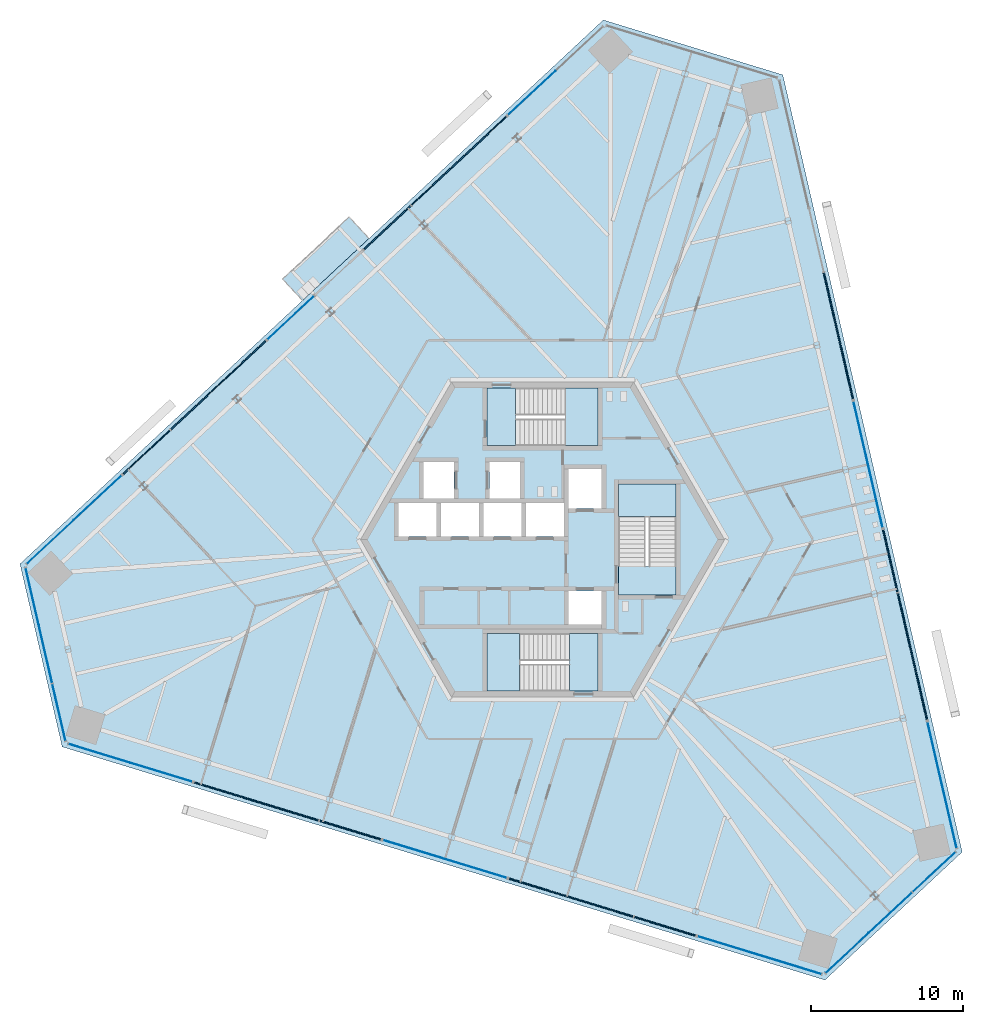
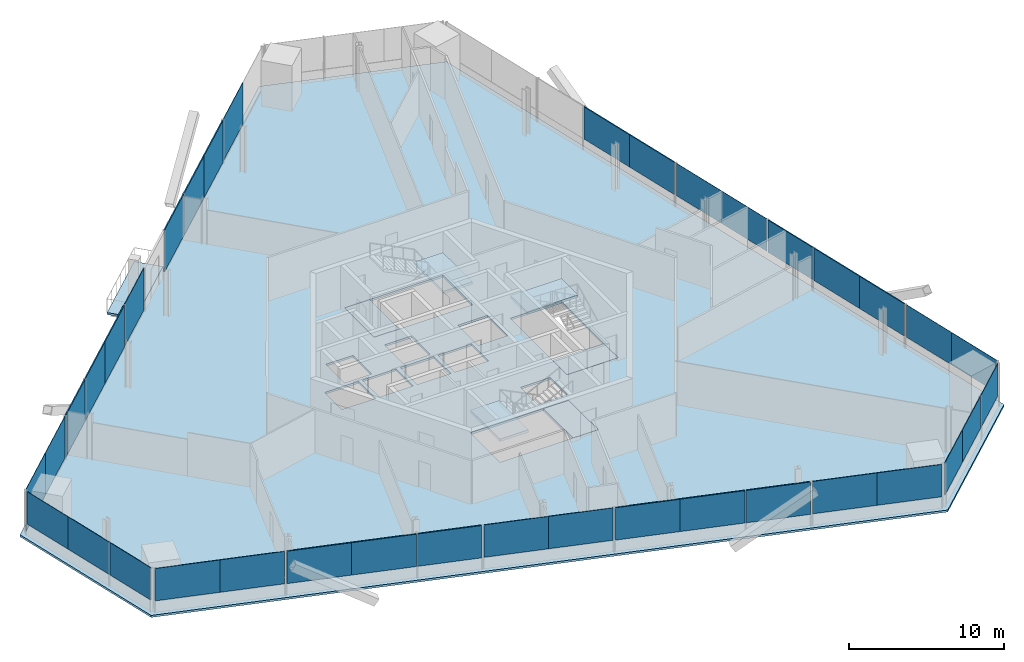
# One storey, part 9 of 17: 37 plates, 8 slabs, 19 elements without a shape of their own.
"""IFC4 building model written with IfcOpenShell, lengths in metres."""

from ifc_helpers import new_model, si_unit, direction, frame, origin, origin_2d, place, context, subcontext, project, spatial, polyline, rectangle, outline, extrude, source, transform, mapped, material, layer, layer_set, type_object, element, aggregate, save


model = new_model("IFC4")

# Units and contexts
model_context = context("Model", 3, precision=1e-05, world=origin(), true_north=direction((0.0, 1.0)))
body_context = subcontext(model_context, "Body", "Model", "MODEL_VIEW")
ifc_project = project(units=[si_unit("LENGTHUNIT", "METRE"), si_unit("AREAUNIT", "SQUARE_METRE"), si_unit("VOLUMEUNIT", "CUBIC_METRE"), si_unit("PLANEANGLEUNIT", "RADIAN"), si_unit("MASSUNIT", "GRAM", prefix="KILO")], contexts=[model_context])

# Site, building, storey
site_placement = place(None, origin())
site = spatial("IfcSite", under=ifc_project, at=site_placement, CompositionType="ELEMENT")
building_placement = place(site_placement, origin())
building = spatial("IfcBuilding", under=site, at=building_placement, Name="Triune Harvest Tower", CompositionType="ELEMENT")
storey_placement = place(building_placement, frame((0.0, 0.0, 123.5)))
storey = spatial("IfcBuildingStorey", under=building, at=storey_placement, Name="L31", CompositionType="ELEMENT", Elevation=123.5)

# Slab
ifc_material_1 = material(Name="Concrete 40 MPa", Category="concrete")
ifc_layer_1 = layer(ifc_material_1, 0.159912109375)
ifc_layer_set_1 = layer_set([ifc_layer_1], Name="Concrete 40 MPa")
slab_type_1 = type_object("IfcSlabType", Name="BA-1 balcony slab 160", PredefinedType="FLOOR", material=ifc_layer_set_1)
slab_1_placement = place(storey_placement, frame((0.0, 0.0, -0.159912109375)))
element("IfcSlab", 1, at=slab_1_placement, inside=storey, type_object=slab_type_1, Name="Balcony slab B3-F3 L31.6", PredefinedType="FLOOR", context=body_context, shape_type="SweptSolid", body=[
    extrude(outline(polyline([(-11.439208984375, 19.857421875), (-15.8271484375, 15.765380859375), (-17.144287109375, 17.177978515625), (-12.756103515625, 21.27001953125), (-11.439208984375, 19.857421875)])), origin(), (0.0, 0.0, 1.0), 0.159912109375),
])

# Curtain wall, plate
ifc_material_2 = material(Name="Aluminium bronze anodised", Category="aluminium")
curtain_wall_type_1 = type_object("IfcCurtainWallType", Name="CW-6 Balcony window wall", PredefinedType="NOTDEFINED", material=ifc_material_2)
curtain_wall_1_placement = place(storey_placement, origin())
curtain_wall_1 = element("IfcCurtainWall", 2, at=curtain_wall_1_placement, inside=storey, type_object=curtain_wall_type_1, Name="CW-6 B3-F3 L31 run 2")
ifc_material_3 = material(Name="Glass", Category="glass")
ifc_layer_2 = layer(ifc_material_3, 0.030029296875)
ifc_layer_set_2 = layer_set([ifc_layer_2], Name="Glass")
plate_type_1 = type_object("IfcPlateType", Name="GL-6 panel 30", PredefinedType="CURTAIN_PANEL", material=ifc_layer_set_2)
plate_1_placement = place(storey_placement, frame((-16.60693359375, 14.628173828125, 0.14990234375), z_axis=(0.0, 0.0, 1.0), x_axis=(-0.731345710138, -0.682006929777, 0.0)))
plate_1 = element("IfcPlate", 3, at=plate_1_placement, type_object=plate_type_1, Name="CW-6 panel B3-F3 2.1", PredefinedType="CURTAIN_PANEL", context=body_context, shape_type="SweptSolid", body=[
    extrude(rectangle(XDim=4.1884765625, YDim=0.030029296875, at=origin_2d()), origin(), (0.0, 0.0, 1.0), 3.2900390625),
])
aggregate(curtain_wall_1, [plate_1])

ifc_material_4 = material(Name="Aluminium bronze anodised", Category="aluminium")
curtain_wall_type_2 = type_object("IfcCurtainWallType", Name="CW-10 Balcony window wall with insulated spandrel infill", PredefinedType="NOTDEFINED", material=ifc_material_4)
curtain_wall_2_placement = place(storey_placement, origin())
curtain_wall_2 = element("IfcCurtainWall", 4, at=curtain_wall_2_placement, inside=storey, type_object=curtain_wall_type_2, Name="CW-10 B3-F3 L31 run 1001")
ifc_material_5 = material(Name="Insulated spandrel panel, bronze aluminium pan", Category="aluminium")
ifc_layer_3 = layer(ifc_material_5, 0.080078125)
ifc_layer_set_3 = layer_set([ifc_layer_3], Name="Insulated spandrel panel, bronze aluminium pan")
plate_type_2 = type_object("IfcPlateType", Name="SP-1 insulated spandrel panel 80", PredefinedType="CURTAIN_PANEL", material=ifc_layer_set_3)
plate_2_placement = place(storey_placement, frame((-10.237548828125, 20.567626953125, 0.14990234375), z_axis=(0.0, 0.0, 1.0), x_axis=(-0.73135272767, -0.681999404494, 0.0)))
plate_2 = element("IfcPlate", 5, at=plate_2_placement, type_object=plate_type_2, Name="CW-10 panel B3-F3 1001.3", PredefinedType="CURTAIN_PANEL", context=body_context, shape_type="SweptSolid", body=[
    extrude(rectangle(XDim=4.222900390625, YDim=0.080078125, at=origin_2d()), origin(), (0.0, 0.0, 1.0), 3.2900390625),
])

# Slab
ifc_material_6 = material(Name="Concrete 40 MPa", Category="concrete")
ifc_layer_4 = layer(ifc_material_6, 0.159912109375)
ifc_layer_set_4 = layer_set([ifc_layer_4], Name="Concrete 40 MPa")
slab_type_2 = type_object("IfcSlabType", Name="SL-1 Composite floor slab 160", PredefinedType="FLOOR", material=ifc_layer_set_4)
shared_shape_1 = source(origin(), body_context, "Body", "SweptSolid", [
    extrude(outline(polyline([(27.666748046875, -20.59765625), (15.83740234375, 30.641357421875), (4.004638671875, 34.2587890625), (-34.454833984375, -1.60498046875), (-31.67138671875, -13.661376953125), (18.617431640625, -29.0361328125), (27.666748046875, -20.59765625)]), holes=[polyline([(-7.0, 0.2099609375), (-7.0, 2.409912109375), (-9.5, 2.409912109375), (-9.5, 0.2099609375), (-7.0, 0.2099609375)]), polyline([(-4.199951171875, 0.2099609375), (-4.199951171875, 2.409912109375), (-6.699951171875, 2.409912109375), (-6.699951171875, 0.2099609375), (-4.199951171875, 0.2099609375)]), polyline([(-1.39990234375, 0.2099609375), (-1.39990234375, 2.409912109375), (-3.89990234375, 2.409912109375), (-3.89990234375, 0.2099609375), (-1.39990234375, 0.2099609375)]), polyline([(1.39990234375, 0.2099609375), (1.39990234375, 2.409912109375), (-1.10009765625, 2.409912109375), (-1.10009765625, 0.2099609375), (1.39990234375, 0.2099609375)]), polyline([(3.89990234375, 2.06005859375), (3.89990234375, 4.659912109375), (1.699951171875, 4.659912109375), (1.699951171875, 2.06005859375), (3.89990234375, 2.06005859375)]), polyline([(3.89990234375, -5.590087890625), (3.89990234375, -3.389892578125), (1.699951171875, -3.389892578125), (1.699951171875, -5.590087890625), (3.89990234375, -5.590087890625)]), polyline([(-5.85009765625, 2.7099609375), (-5.85009765625, 5.110107421875), (-7.85009765625, 5.110107421875), (-7.85009765625, 2.7099609375), (-5.85009765625, 2.7099609375)]), polyline([(-1.5, 2.7099609375), (-1.5, 5.110107421875), (-3.5, 5.110107421875), (-3.5, 2.7099609375), (-1.5, 2.7099609375)]), polyline([(3.64990234375, 6.18994140625), (3.64990234375, 9.989990234375), (-3.64990234375, 9.989990234375), (-3.64990234375, 6.18994140625), (3.64990234375, 6.18994140625)]), polyline([(3.64990234375, -9.989990234375), (3.64990234375, -6.18994140625), (-3.64990234375, -6.18994140625), (-3.64990234375, -9.989990234375), (3.64990234375, -9.989990234375)]), polyline([(8.800048828125, -3.64990234375), (8.800048828125, 3.64990234375), (5.0, 3.64990234375), (5.0, -3.64990234375), (8.800048828125, -3.64990234375)])]), origin(), (0.0, 0.0, 1.0), 0.159912109375),
])
slab_2_placement = place(storey_placement, frame((0.0, 0.0, -0.159912109375)))
element("IfcSlab", 6, at=slab_2_placement, inside=storey, type_object=slab_type_2, Name="slab/L31/1", PredefinedType="FLOOR", context=body_context, shape_type="MappedRepresentation", body=[
    mapped(shared_shape_1, transform((0.0, 0.0, 0.0), scale=1.0)),
])

# Stair, slabs
ifc_material_7 = material(Name="Concrete 40 MPa", Category="concrete")
stair_type = type_object("IfcStairType", Name="Exit stair 1800 half turn", PredefinedType="HALF_TURN_STAIR", material=ifc_material_7)
stair_1_placement = place(storey_placement, origin())
stair_1 = element("IfcStair", 7, at=stair_1_placement, inside=storey, type_object=stair_type, Name="Exit stair north", PredefinedType="HALF_TURN_STAIR")
ifc_material_8 = material(Name="Concrete 40 MPa", Category="concrete")
ifc_layer_5 = layer(ifc_material_8, 0.199951171875)
ifc_layer_set_5 = layer_set([ifc_layer_5], Name="Concrete 40 MPa")
slab_type_3 = type_object("IfcSlabType", Name="Stair landing 200", PredefinedType="LANDING", material=ifc_layer_set_5)
shared_shape_2 = source(origin(), body_context, "Body", "SweptSolid", [
    extrude(outline(polyline([(1.510009765625, 6.18994140625), (3.64990234375, 6.18994140625), (3.64990234375, 9.989990234375), (1.510009765625, 9.989990234375), (1.510009765625, 6.18994140625)])), origin(), (0.0, 0.0, 1.0), 0.199951171875),
])
slab_3_placement = place(storey_placement, frame((0.0, 0.0, 1.60009765625)))
slab_3 = element("IfcSlab", 8, at=slab_3_placement, type_object=slab_type_3, Name="ST-1 landing 2", PredefinedType="LANDING", context=body_context, shape_type="MappedRepresentation", body=[
    mapped(shared_shape_2, transform((0.0, 0.0, 0.0), scale=1.0)),
])
shared_shape_3 = source(origin(), body_context, "Body", "SweptSolid", [
    extrude(outline(polyline([(-3.64990234375, 6.18994140625), (-1.780029296875, 6.18994140625), (-1.780029296875, 9.989990234375), (-3.64990234375, 9.989990234375), (-3.64990234375, 6.18994140625)])), origin(), (0.0, 0.0, 1.0), 0.199951171875),
])
slab_4_placement = place(storey_placement, frame((0.0, 0.0, -0.199951171875)))
slab_4 = element("IfcSlab", 9, at=slab_4_placement, type_object=slab_type_3, Name="ST-1 landing 1", PredefinedType="LANDING", context=body_context, shape_type="MappedRepresentation", body=[
    mapped(shared_shape_3, transform((0.0, 0.0, 0.0), scale=1.0)),
])
aggregate(stair_1, [slab_4, slab_3])

stair_2_placement = place(storey_placement, origin())
stair_2 = element("IfcStair", 10, at=stair_2_placement, inside=storey, type_object=stair_type, Name="Exit stair south", PredefinedType="HALF_TURN_STAIR")
shared_shape_4 = source(origin(), body_context, "Body", "SweptSolid", [
    extrude(outline(polyline([(-1.510009765625, -6.18994140625), (-3.64990234375, -6.18994140625), (-3.64990234375, -9.989990234375), (-1.510009765625, -9.989990234375), (-1.510009765625, -6.18994140625)])), origin(), (0.0, 0.0, 1.0), 0.199951171875),
])
slab_5_placement = place(storey_placement, frame((0.0, 0.0, 1.60009765625)))
slab_5 = element("IfcSlab", 11, at=slab_5_placement, type_object=slab_type_3, Name="ST-2 landing 2", PredefinedType="LANDING", context=body_context, shape_type="MappedRepresentation", body=[
    mapped(shared_shape_4, transform((0.0, 0.0, 0.0), scale=1.0)),
])
shared_shape_5 = source(origin(), body_context, "Body", "SweptSolid", [
    extrude(outline(polyline([(3.64990234375, -6.18994140625), (1.780029296875, -6.18994140625), (1.780029296875, -9.989990234375), (3.64990234375, -9.989990234375), (3.64990234375, -6.18994140625)])), origin(), (0.0, 0.0, 1.0), 0.199951171875),
])
slab_6_placement = place(storey_placement, frame((0.0, 0.0, -0.199951171875)))
slab_6 = element("IfcSlab", 12, at=slab_6_placement, type_object=slab_type_3, Name="ST-2 landing 1", PredefinedType="LANDING", context=body_context, shape_type="MappedRepresentation", body=[
    mapped(shared_shape_5, transform((0.0, 0.0, 0.0), scale=1.0)),
])
aggregate(stair_2, [slab_6, slab_5])

stair_3_placement = place(storey_placement, origin())
stair_3 = element("IfcStair", 13, at=stair_3_placement, inside=storey, type_object=stair_type, Name="Exit stair east", PredefinedType="HALF_TURN_STAIR")
shared_shape_6 = source(origin(), body_context, "Body", "SweptSolid", [
    extrude(outline(polyline([(8.800048828125, 1.510009765625), (8.800048828125, 3.64990234375), (5.0, 3.64990234375), (5.0, 1.510009765625), (8.800048828125, 1.510009765625)])), origin(), (0.0, 0.0, 1.0), 0.199951171875),
])
slab_7_placement = place(storey_placement, frame((0.0, 0.0, 1.60009765625)))
slab_7 = element("IfcSlab", 14, at=slab_7_placement, type_object=slab_type_3, Name="ST-3 landing 2", PredefinedType="LANDING", context=body_context, shape_type="MappedRepresentation", body=[
    mapped(shared_shape_6, transform((0.0, 0.0, 0.0), scale=1.0)),
])
shared_shape_7 = source(origin(), body_context, "Body", "SweptSolid", [
    extrude(outline(polyline([(8.800048828125, -3.64990234375), (8.800048828125, -1.780029296875), (5.0, -1.780029296875), (5.0, -3.64990234375), (8.800048828125, -3.64990234375)])), origin(), (0.0, 0.0, 1.0), 0.199951171875),
])
slab_8_placement = place(storey_placement, frame((0.0, 0.0, -0.199951171875)))
slab_8 = element("IfcSlab", 15, at=slab_8_placement, type_object=slab_type_3, Name="ST-3 landing 1", PredefinedType="LANDING", context=body_context, shape_type="MappedRepresentation", body=[
    mapped(shared_shape_7, transform((0.0, 0.0, 0.0), scale=1.0)),
])
aggregate(stair_3, [slab_8, slab_7])

# Curtain wall, plate
ifc_material_9 = material(Name="Aluminium bronze anodised", Category="aluminium")
curtain_wall_type_3 = type_object("IfcCurtainWallType", Name="CW-1 Tower stick curtain wall", PredefinedType="NOTDEFINED", material=ifc_material_9)
curtain_wall_3_placement = place(storey_placement, origin())
curtain_wall_3 = element("IfcCurtainWall", 16, at=curtain_wall_3_placement, inside=storey, type_object=curtain_wall_type_3, Name="CW-1 B3-F4 L31 run 1")
ifc_material_10 = material(Name="Glass", Category="glass")
ifc_layer_6 = layer(ifc_material_10, 0.031982421875)
ifc_layer_set_6 = layer_set([ifc_layer_6], Name="Glass")
plate_type_3 = type_object("IfcPlateType", Name="GL-1 panel 32", PredefinedType="CURTAIN_PANEL", material=ifc_layer_set_6)
shared_shape_8 = source(origin(), body_context, "Body", "SweptSolid", [
    extrude(rectangle(XDim=3.8740234375, YDim=0.031982421875, at=origin_2d()), origin(), (0.0, 0.0, 1.0), 2.5400390625),
])
plate_3_placement = place(storey_placement, frame((-33.650634765625, -3.75439453125, 0.89990234375), z_axis=(0.0, 0.0, 1.0), x_axis=(0.224946950683, -0.974371012181, 0.0)))
plate_3 = element("IfcPlate", 17, at=plate_3_placement, type_object=plate_type_3, Name="CW-1 panel B3-F4 1.1", PredefinedType="CURTAIN_PANEL", context=body_context, shape_type="MappedRepresentation", body=[
    mapped(shared_shape_8, transform((0.0, 0.0, 0.0), scale=1.0)),
])

curtain_wall_4_placement = place(storey_placement, origin())
curtain_wall_4 = element("IfcCurtainWall", 18, at=curtain_wall_4_placement, inside=storey, type_object=curtain_wall_type_3, Name="CW-1 B3-F6 L31 run 1")
plate_4_placement = place(storey_placement, frame((20.076904296875, -27.26513671875, 0.89990234375), z_axis=(0.0, 0.0, 1.0), x_axis=(0.731349946151, 0.682002387287, 0.0)))
plate_4 = element("IfcPlate", 19, at=plate_4_placement, type_object=plate_type_3, Name="CW-1 panel B3-F6 1.1", PredefinedType="CURTAIN_PANEL", context=body_context, shape_type="MappedRepresentation", body=[
    mapped(shared_shape_8, transform((0.0, 0.0, 0.0), scale=1.0)),
])

# Plate
shared_shape_9 = source(origin(), body_context, "Body", "SweptSolid", [
    extrude(rectangle(XDim=3.911376953125, YDim=0.031982421875, at=origin_2d()), origin(), (0.0, 0.0, 1.0), 2.5400390625),
])
plate_5_placement = place(storey_placement, frame((-32.77490234375, -7.54736328125, 0.89990234375), z_axis=(0.0, 0.0, 1.0), x_axis=(0.224946950683, -0.974371012181, 0.0)))
plate_5 = element("IfcPlate", 20, at=plate_5_placement, type_object=plate_type_3, Name="CW-1 panel B3-F4 1.2", PredefinedType="CURTAIN_PANEL", context=body_context, shape_type="MappedRepresentation", body=[
    mapped(shared_shape_9, transform((0.0, 0.0, 0.0), scale=1.0)),
])

plate_6_placement = place(storey_placement, frame((22.923828125, -24.6103515625, 0.89990234375), z_axis=(0.0, 0.0, 1.0), x_axis=(0.731349946151, 0.682002387287, 0.0)))
plate_6 = element("IfcPlate", 21, at=plate_6_placement, type_object=plate_type_3, Name="CW-1 panel B3-F6 1.2", PredefinedType="CURTAIN_PANEL", context=body_context, shape_type="MappedRepresentation", body=[
    mapped(shared_shape_9, transform((0.0, 0.0, 0.0), scale=1.0)),
])

shared_shape_10 = source(origin(), body_context, "Body", "SweptSolid", [
    extrude(rectangle(XDim=3.83642578125, YDim=0.031982421875, at=origin_2d()), origin(), (0.0, 0.0, 1.0), 2.5400390625),
])
plate_7_placement = place(storey_placement, frame((-31.88671875, -11.395263671875, 0.89990234375), z_axis=(0.0, 0.0, 1.0), x_axis=(0.224946950683, -0.974371012181, 0.0)))
plate_7 = element("IfcPlate", 22, at=plate_7_placement, type_object=plate_type_3, Name="CW-1 panel B3-F4 1.3", PredefinedType="CURTAIN_PANEL", context=body_context, shape_type="MappedRepresentation", body=[
    mapped(shared_shape_10, transform((0.0, 0.0, 0.0), scale=1.0)),
])

aggregate(curtain_wall_3, [plate_3, plate_5, plate_7])

plate_8_placement = place(storey_placement, frame((25.81201171875, -21.9169921875, 0.89990234375), z_axis=(0.0, 0.0, 1.0), x_axis=(0.731349946151, 0.682002387287, 0.0)))
plate_8 = element("IfcPlate", 23, at=plate_8_placement, type_object=plate_type_3, Name="CW-1 panel B3-F6 1.3", PredefinedType="CURTAIN_PANEL", context=body_context, shape_type="MappedRepresentation", body=[
    mapped(shared_shape_10, transform((0.0, 0.0, 0.0), scale=1.0)),
])

aggregate(curtain_wall_4, [plate_4, plate_6, plate_8])

# Curtain wall, plate
ifc_material_11 = material(Name="Aluminium bronze anodised", Category="aluminium")
curtain_wall_type_4 = type_object("IfcCurtainWallType", Name="CW-7 Tower stick curtain wall with insulated spandrel infill", PredefinedType="NOTDEFINED", material=ifc_material_11)
curtain_wall_5_placement = place(storey_placement, origin())
curtain_wall_5 = element("IfcCurtainWall", 24, at=curtain_wall_5_placement, inside=storey, type_object=curtain_wall_type_4, Name="CW-7 B3-F1 L31 run 1001")
shared_shape_11 = source(origin(), body_context, "Body", "SweptSolid", [
    extrude(rectangle(XDim=4.263427734375, YDim=0.080078125, at=origin_2d()), origin(), (0.0, 0.0, 1.0), 2.5400390625),
])
plate_9_placement = place(storey_placement, frame((24.866943359375, -9.80419921875, 0.89990234375), z_axis=(0.0, 0.0, 1.0), x_axis=(-0.224947044811, 0.97437099045, 0.0)))
plate_9 = element("IfcPlate", 25, at=plate_9_placement, type_object=plate_type_2, Name="CW-7 panel B3-F1 1001.1", PredefinedType="CURTAIN_PANEL", context=body_context, shape_type="MappedRepresentation", body=[
    mapped(shared_shape_11, transform((0.0, 0.0, 0.0), scale=1.0)),
])

curtain_wall_6_placement = place(storey_placement, origin())
curtain_wall_6 = element("IfcCurtainWall", 26, at=curtain_wall_6_placement, inside=storey, type_object=curtain_wall_type_4, Name="CW-7 B3-F1 L31 run 3001")
plate_10_placement = place(storey_placement, frame((19.9873046875, 11.33154296875, 0.89990234375), z_axis=(0.0, 0.0, 1.0), x_axis=(-0.224947044811, 0.97437099045, 0.0)))
plate_10 = element("IfcPlate", 27, at=plate_10_placement, type_object=plate_type_2, Name="CW-7 panel B3-F1 3001.1", PredefinedType="CURTAIN_PANEL", context=body_context, shape_type="MappedRepresentation", body=[
    mapped(shared_shape_11, transform((0.0, 0.0, 0.0), scale=1.0)),
])

curtain_wall_7_placement = place(storey_placement, origin())
curtain_wall_7 = element("IfcCurtainWall", 28, at=curtain_wall_7_placement, inside=storey, type_object=curtain_wall_type_4, Name="CW-7 B3-F5 L31 run 1001")
plate_11_placement = place(storey_placement, frame((-20.924072265625, -16.63330078125, 0.89990234375), z_axis=(0.0, 0.0, 1.0), x_axis=(0.956305751753, -0.292368447621, 0.0)))
plate_11 = element("IfcPlate", 29, at=plate_11_placement, type_object=plate_type_2, Name="CW-7 panel B3-F5 1001.1", PredefinedType="CURTAIN_PANEL", context=body_context, shape_type="MappedRepresentation", body=[
    mapped(shared_shape_11, transform((0.0, 0.0, 0.0), scale=1.0)),
])

curtain_wall_8_placement = place(storey_placement, origin())
curtain_wall_8 = element("IfcCurtainWall", 30, at=curtain_wall_8_placement, inside=storey, type_object=curtain_wall_type_4, Name="CW-7 B3-F5 L31 run 3001")
plate_12_placement = place(storey_placement, frame((-0.18017578125, -22.975341796875, 0.89990234375), z_axis=(0.0, 0.0, 1.0), x_axis=(0.956305751753, -0.292368447621, 0.0)))
plate_12 = element("IfcPlate", 31, at=plate_12_placement, type_object=plate_type_2, Name="CW-7 panel B3-F5 3001.1", PredefinedType="CURTAIN_PANEL", context=body_context, shape_type="MappedRepresentation", body=[
    mapped(shared_shape_11, transform((0.0, 0.0, 0.0), scale=1.0)),
])

# Plate
shared_shape_12 = source(origin(), body_context, "Body", "SweptSolid", [
    extrude(rectangle(XDim=4.30078125, YDim=0.080078125, at=origin_2d()), origin(), (0.0, 0.0, 1.0), 2.5400390625),
])
plate_13_placement = place(storey_placement, frame((23.90380859375, -5.6318359375, 0.89990234375), z_axis=(0.0, 0.0, 1.0), x_axis=(-0.224947044811, 0.97437099045, 0.0)))
plate_13 = element("IfcPlate", 32, at=plate_13_placement, type_object=plate_type_2, Name="CW-7 panel B3-F1 1001.2", PredefinedType="CURTAIN_PANEL", context=body_context, shape_type="MappedRepresentation", body=[
    mapped(shared_shape_12, transform((0.0, 0.0, 0.0), scale=1.0)),
])

plate_14_placement = place(storey_placement, frame((19.024169921875, 15.50390625, 0.89990234375), z_axis=(0.0, 0.0, 1.0), x_axis=(-0.224947044811, 0.97437099045, 0.0)))
plate_14 = element("IfcPlate", 33, at=plate_14_placement, type_object=plate_type_2, Name="CW-7 panel B3-F1 3001.2", PredefinedType="CURTAIN_PANEL", context=body_context, shape_type="MappedRepresentation", body=[
    mapped(shared_shape_12, transform((0.0, 0.0, 0.0), scale=1.0)),
])

aggregate(curtain_wall_6, [plate_10, plate_14])

plate_15_placement = place(storey_placement, frame((-16.8291015625, -17.88525390625, 0.89990234375), z_axis=(0.0, 0.0, 1.0), x_axis=(0.956305751753, -0.292368447621, 0.0)))
plate_15 = element("IfcPlate", 34, at=plate_15_placement, type_object=plate_type_2, Name="CW-7 panel B3-F5 1001.2", PredefinedType="CURTAIN_PANEL", context=body_context, shape_type="MappedRepresentation", body=[
    mapped(shared_shape_12, transform((0.0, 0.0, 0.0), scale=1.0)),
])

plate_16_placement = place(storey_placement, frame((3.914794921875, -24.2275390625, 0.89990234375), z_axis=(0.0, 0.0, 1.0), x_axis=(0.956305751753, -0.292368447621, 0.0)))
plate_16 = element("IfcPlate", 35, at=plate_16_placement, type_object=plate_type_2, Name="CW-7 panel B3-F5 3001.2", PredefinedType="CURTAIN_PANEL", context=body_context, shape_type="MappedRepresentation", body=[
    mapped(shared_shape_12, transform((0.0, 0.0, 0.0), scale=1.0)),
])

# Curtain wall, plates
curtain_wall_9_placement = place(storey_placement, origin())
curtain_wall_9 = element("IfcCurtainWall", 36, at=curtain_wall_9_placement, inside=storey, type_object=curtain_wall_type_3, Name="CW-1 B3-F1 L31 run 1")
shared_shape_13 = source(origin(), body_context, "Body", "SweptSolid", [
    extrude(rectangle(XDim=4.263427734375, YDim=0.031982421875, at=origin_2d()), origin(), (0.0, 0.0, 1.0), 2.5400390625),
])
plate_17_placement = place(storey_placement, frame((26.81884765625, -18.258544921875, 0.89990234375), z_axis=(0.0, 0.0, 1.0), x_axis=(-0.224953669027, 0.974369461134, 0.0)))
plate_17 = element("IfcPlate", 37, at=plate_17_placement, type_object=plate_type_3, Name="CW-1 panel B3-F1 1.1", PredefinedType="CURTAIN_PANEL", context=body_context, shape_type="MappedRepresentation", body=[
    mapped(shared_shape_13, transform((0.0, 0.0, 0.0), scale=1.0)),
])
plate_18_placement = place(storey_placement, frame((25.85986328125, -14.1044921875, 0.89990234375), z_axis=(0.0, 0.0, 1.0), x_axis=(-0.224953669027, 0.974369461134, 0.0)))
plate_18 = element("IfcPlate", 38, at=plate_18_placement, type_object=plate_type_3, Name="CW-1 panel B3-F1 1.2", PredefinedType="CURTAIN_PANEL", context=body_context, shape_type="MappedRepresentation", body=[
    mapped(shared_shape_13, transform((0.0, 0.0, 0.0), scale=1.0)),
])
aggregate(curtain_wall_9, [plate_17, plate_18])

curtain_wall_10_placement = place(storey_placement, origin())
curtain_wall_10 = element("IfcCurtainWall", 39, at=curtain_wall_10_placement, inside=storey, type_object=curtain_wall_type_3, Name="CW-1 B3-F1 L31 run 2001")
plate_19_placement = place(storey_placement, frame((21.939208984375, 2.877197265625, 0.89990234375), z_axis=(0.0, 0.0, 1.0), x_axis=(-0.224958828767, 0.974368269886, 0.0)))
plate_19 = element("IfcPlate", 40, at=plate_19_placement, type_object=plate_type_3, Name="CW-1 panel B3-F1 2001.1", PredefinedType="CURTAIN_PANEL", context=body_context, shape_type="MappedRepresentation", body=[
    mapped(shared_shape_13, transform((0.0, 0.0, 0.0), scale=1.0)),
])
plate_20_placement = place(storey_placement, frame((20.980224609375, 7.031494140625, 0.89990234375), z_axis=(0.0, 0.0, 1.0), x_axis=(-0.224958828767, 0.974368269886, 0.0)))
plate_20 = element("IfcPlate", 41, at=plate_20_placement, type_object=plate_type_3, Name="CW-1 panel B3-F1 2001.2", PredefinedType="CURTAIN_PANEL", context=body_context, shape_type="MappedRepresentation", body=[
    mapped(shared_shape_13, transform((0.0, 0.0, 0.0), scale=1.0)),
])
aggregate(curtain_wall_10, [plate_19, plate_20])

curtain_wall_11_placement = place(storey_placement, origin())
curtain_wall_11 = element("IfcCurtainWall", 42, at=curtain_wall_11_placement, inside=storey, type_object=curtain_wall_type_3, Name="CW-1 B3-F5 L31 run 1")
plate_21_placement = place(storey_placement, frame((-29.2216796875, -14.096435546875, 0.89990234375), z_axis=(0.0, 0.0, 1.0), x_axis=(0.956303289249, -0.292376502084, 0.0)))
plate_21 = element("IfcPlate", 43, at=plate_21_placement, type_object=plate_type_3, Name="CW-1 panel B3-F5 1.1", PredefinedType="CURTAIN_PANEL", context=body_context, shape_type="MappedRepresentation", body=[
    mapped(shared_shape_13, transform((0.0, 0.0, 0.0), scale=1.0)),
])
plate_22_placement = place(storey_placement, frame((-25.144775390625, -15.343017578125, 0.89990234375), z_axis=(0.0, 0.0, 1.0), x_axis=(0.956303289249, -0.292376502084, 0.0)))
plate_22 = element("IfcPlate", 44, at=plate_22_placement, type_object=plate_type_3, Name="CW-1 panel B3-F5 1.2", PredefinedType="CURTAIN_PANEL", context=body_context, shape_type="MappedRepresentation", body=[
    mapped(shared_shape_13, transform((0.0, 0.0, 0.0), scale=1.0)),
])
aggregate(curtain_wall_11, [plate_21, plate_22])

curtain_wall_12_placement = place(storey_placement, origin())
curtain_wall_12 = element("IfcCurtainWall", 45, at=curtain_wall_12_placement, inside=storey, type_object=curtain_wall_type_3, Name="CW-1 B3-F5 L31 run 2001")
plate_23_placement = place(storey_placement, frame((-8.477783203125, -20.4384765625, 0.89990234375), z_axis=(0.0, 0.0, 1.0), x_axis=(0.956301544121, -0.292382209978, 0.0)))
plate_23 = element("IfcPlate", 46, at=plate_23_placement, type_object=plate_type_3, Name="CW-1 panel B3-F5 2001.1", PredefinedType="CURTAIN_PANEL", context=body_context, shape_type="MappedRepresentation", body=[
    mapped(shared_shape_13, transform((0.0, 0.0, 0.0), scale=1.0)),
])
plate_24_placement = place(storey_placement, frame((-4.400634765625, -21.68505859375, 0.89990234375), z_axis=(0.0, 0.0, 1.0), x_axis=(0.956301544121, -0.292382209978, 0.0)))
plate_24 = element("IfcPlate", 47, at=plate_24_placement, type_object=plate_type_3, Name="CW-1 panel B3-F5 2001.2", PredefinedType="CURTAIN_PANEL", context=body_context, shape_type="MappedRepresentation", body=[
    mapped(shared_shape_13, transform((0.0, 0.0, 0.0), scale=1.0)),
])
aggregate(curtain_wall_12, [plate_23, plate_24])

curtain_wall_13_placement = place(storey_placement, origin())
curtain_wall_13 = element("IfcCurtainWall", 48, at=curtain_wall_13_placement, inside=storey, type_object=curtain_wall_type_3, Name="CW-1 B3-F5 L31 run 4001")
plate_25_placement = place(storey_placement, frame((12.26611328125, -26.78076171875, 0.89990234375), z_axis=(0.0, 0.0, 1.0), x_axis=(0.956303289249, -0.292376502084, 0.0)))
plate_25 = element("IfcPlate", 49, at=plate_25_placement, type_object=plate_type_3, Name="CW-1 panel B3-F5 4001.1", PredefinedType="CURTAIN_PANEL", context=body_context, shape_type="MappedRepresentation", body=[
    mapped(shared_shape_13, transform((0.0, 0.0, 0.0), scale=1.0)),
])
plate_26_placement = place(storey_placement, frame((16.34326171875, -28.027099609375, 0.89990234375), z_axis=(0.0, 0.0, 1.0), x_axis=(0.956303289249, -0.292376502084, 0.0)))
plate_26 = element("IfcPlate", 50, at=plate_26_placement, type_object=plate_type_3, Name="CW-1 panel B3-F5 4001.2", PredefinedType="CURTAIN_PANEL", context=body_context, shape_type="MappedRepresentation", body=[
    mapped(shared_shape_13, transform((0.0, 0.0, 0.0), scale=1.0)),
])
aggregate(curtain_wall_13, [plate_25, plate_26])

# Curtain wall, plate
curtain_wall_14_placement = place(storey_placement, origin())
curtain_wall_14 = element("IfcCurtainWall", 51, at=curtain_wall_14_placement, inside=storey, type_object=curtain_wall_type_1, Name="CW-6 B3-F3 L31 run 1")
shared_shape_14 = source(origin(), body_context, "Body", "SweptSolid", [
    extrude(rectangle(XDim=4.26025390625, YDim=0.030029296875, at=origin_2d()), origin(), (0.0, 0.0, 1.0), 3.2900390625),
])
plate_27_placement = place(storey_placement, frame((-0.7119140625, 29.450439453125, 0.14990234375), z_axis=(0.0, 0.0, 1.0), x_axis=(-0.731354318331, -0.681997698719, 0.0)))
plate_27 = element("IfcPlate", 52, at=plate_27_placement, type_object=plate_type_1, Name="CW-6 panel B3-F3 1.2", PredefinedType="CURTAIN_PANEL", context=body_context, shape_type="MappedRepresentation", body=[
    mapped(shared_shape_14, transform((0.0, 0.0, 0.0), scale=1.0)),
])
aggregate(curtain_wall_14, [plate_27])

# Plate
shared_shape_15 = source(origin(), body_context, "Body", "SweptSolid", [
    extrude(rectangle(XDim=4.26025390625, YDim=0.080078125, at=origin_2d()), origin(), (0.0, 0.0, 1.0), 3.2900390625),
])
plate_28_placement = place(storey_placement, frame((-3.937255859375, 26.442626953125, 0.14990234375), z_axis=(0.0, 0.0, 1.0), x_axis=(-0.73135272767, -0.681999404494, 0.0)))
plate_28 = element("IfcPlate", 53, at=plate_28_placement, type_object=plate_type_2, Name="CW-10 panel B3-F3 1001.1", PredefinedType="CURTAIN_PANEL", context=body_context, shape_type="MappedRepresentation", body=[
    mapped(shared_shape_15, transform((0.0, 0.0, 0.0), scale=1.0)),
])

# Curtain wall, plates
curtain_wall_15_placement = place(storey_placement, origin())
curtain_wall_15 = element("IfcCurtainWall", 54, at=curtain_wall_15_placement, inside=storey, type_object=curtain_wall_type_2, Name="CW-10 B3-F3 L31 run 1002")
shared_shape_16 = source(origin(), body_context, "Body", "SweptSolid", [
    extrude(rectangle(XDim=4.263427734375, YDim=0.080078125, at=origin_2d()), origin(), (0.0, 0.0, 1.0), 3.2900390625),
])
plate_29_placement = place(storey_placement, frame((-19.80712890625, 11.643798828125, 0.14990234375), z_axis=(0.0, 0.0, 1.0), x_axis=(-0.731355161701, -0.681996794313, 0.0)))
plate_29 = element("IfcPlate", 55, at=plate_29_placement, type_object=plate_type_2, Name="CW-10 panel B3-F3 1002.1", PredefinedType="CURTAIN_PANEL", context=body_context, shape_type="MappedRepresentation", body=[
    mapped(shared_shape_16, transform((0.0, 0.0, 0.0), scale=1.0)),
])
shared_shape_17 = source(origin(), body_context, "Body", "SweptSolid", [
    extrude(rectangle(XDim=4.30078125, YDim=0.080078125, at=origin_2d()), origin(), (0.0, 0.0, 1.0), 3.2900390625),
])
plate_30_placement = place(storey_placement, frame((-22.93896484375, 8.723388671875, 0.14990234375), z_axis=(0.0, 0.0, 1.0), x_axis=(-0.731355161701, -0.681996794313, 0.0)))
plate_30 = element("IfcPlate", 56, at=plate_30_placement, type_object=plate_type_2, Name="CW-10 panel B3-F3 1002.2", PredefinedType="CURTAIN_PANEL", context=body_context, shape_type="MappedRepresentation", body=[
    mapped(shared_shape_17, transform((0.0, 0.0, 0.0), scale=1.0)),
])
shared_shape_18 = source(origin(), body_context, "Body", "SweptSolid", [
    extrude(rectangle(XDim=4.225830078125, YDim=0.080078125, at=origin_2d()), origin(), (0.0, 0.0, 1.0), 3.2900390625),
])
plate_31_placement = place(storey_placement, frame((-26.11181640625, 5.7646484375, 0.14990234375), z_axis=(0.0, 0.0, 1.0), x_axis=(-0.731355161701, -0.681996794313, 0.0)))
plate_31 = element("IfcPlate", 57, at=plate_31_placement, type_object=plate_type_2, Name="CW-10 panel B3-F3 1002.3", PredefinedType="CURTAIN_PANEL", context=body_context, shape_type="MappedRepresentation", body=[
    mapped(shared_shape_18, transform((0.0, 0.0, 0.0), scale=1.0)),
])
aggregate(curtain_wall_15, [plate_29, plate_30, plate_31])

curtain_wall_16_placement = place(storey_placement, origin())
curtain_wall_16 = element("IfcCurtainWall", 58, at=curtain_wall_16_placement, inside=storey, type_object=curtain_wall_type_1, Name="CW-6 B3-F3 L31 run 2002")
shared_shape_19 = source(origin(), body_context, "Body", "SweptSolid", [
    extrude(rectangle(XDim=4.263427734375, YDim=0.030029296875, at=origin_2d()), origin(), (0.0, 0.0, 1.0), 3.2900390625),
])
plate_32_placement = place(storey_placement, frame((-29.32568359375, 2.767578125, 0.14990234375), z_axis=(0.0, 0.0, 1.0), x_axis=(-0.731354494176, -0.681997510149, 0.0)))
plate_32 = element("IfcPlate", 59, at=plate_32_placement, type_object=plate_type_1, Name="CW-6 panel B3-F3 2002.1", PredefinedType="CURTAIN_PANEL", context=body_context, shape_type="MappedRepresentation", body=[
    mapped(shared_shape_19, transform((0.0, 0.0, 0.0), scale=1.0)),
])
plate_33_placement = place(storey_placement, frame((-32.44384765625, -0.14013671875, 0.14990234375), z_axis=(0.0, 0.0, 1.0), x_axis=(-0.731354494176, -0.681997510149, 0.0)))
plate_33 = element("IfcPlate", 60, at=plate_33_placement, type_object=plate_type_1, Name="CW-6 panel B3-F3 2002.2", PredefinedType="CURTAIN_PANEL", context=body_context, shape_type="MappedRepresentation", body=[
    mapped(shared_shape_19, transform((0.0, 0.0, 0.0), scale=1.0)),
])
aggregate(curtain_wall_16, [plate_32, plate_33])

# Plate
shared_shape_20 = source(origin(), body_context, "Body", "SweptSolid", [
    extrude(rectangle(XDim=4.225830078125, YDim=0.080078125, at=origin_2d()), origin(), (0.0, 0.0, 1.0), 2.5400390625),
])
plate_34_placement = place(storey_placement, frame((22.927978515625, -1.404541015625, 0.89990234375), z_axis=(0.0, 0.0, 1.0), x_axis=(-0.224947044811, 0.97437099045, 0.0)))
plate_34 = element("IfcPlate", 61, at=plate_34_placement, type_object=plate_type_2, Name="CW-7 panel B3-F1 1001.3", PredefinedType="CURTAIN_PANEL", context=body_context, shape_type="MappedRepresentation", body=[
    mapped(shared_shape_20, transform((0.0, 0.0, 0.0), scale=1.0)),
])

aggregate(curtain_wall_5, [plate_9, plate_13, plate_34])

plate_35_placement = place(storey_placement, frame((-12.680419921875, -19.15380859375, 0.89990234375), z_axis=(0.0, 0.0, 1.0), x_axis=(0.956305751753, -0.292368447621, 0.0)))
plate_35 = element("IfcPlate", 62, at=plate_35_placement, type_object=plate_type_2, Name="CW-7 panel B3-F5 1001.3", PredefinedType="CURTAIN_PANEL", context=body_context, shape_type="MappedRepresentation", body=[
    mapped(shared_shape_20, transform((0.0, 0.0, 0.0), scale=1.0)),
])

aggregate(curtain_wall_7, [plate_11, plate_15, plate_35])

plate_36_placement = place(storey_placement, frame((8.0634765625, -25.495849609375, 0.89990234375), z_axis=(0.0, 0.0, 1.0), x_axis=(0.956305751753, -0.292368447621, 0.0)))
plate_36 = element("IfcPlate", 63, at=plate_36_placement, type_object=plate_type_2, Name="CW-7 panel B3-F5 3001.3", PredefinedType="CURTAIN_PANEL", context=body_context, shape_type="MappedRepresentation", body=[
    mapped(shared_shape_20, transform((0.0, 0.0, 0.0), scale=1.0)),
])

aggregate(curtain_wall_8, [plate_12, plate_16, plate_36])

shared_shape_21 = source(origin(), body_context, "Body", "SweptSolid", [
    extrude(rectangle(XDim=4.2978515625, YDim=0.080078125, at=origin_2d()), origin(), (0.0, 0.0, 1.0), 3.2900390625),
])
plate_37_placement = place(storey_placement, frame((-7.06689453125, 23.5244140625, 0.14990234375), z_axis=(0.0, 0.0, 1.0), x_axis=(-0.73135272767, -0.681999404494, 0.0)))
plate_37 = element("IfcPlate", 64, at=plate_37_placement, type_object=plate_type_2, Name="CW-10 panel B3-F3 1001.2", PredefinedType="CURTAIN_PANEL", context=body_context, shape_type="MappedRepresentation", body=[
    mapped(shared_shape_21, transform((0.0, 0.0, 0.0), scale=1.0)),
])

aggregate(curtain_wall_2, [plate_28, plate_37, plate_2])

save(model, "model.ifc")
